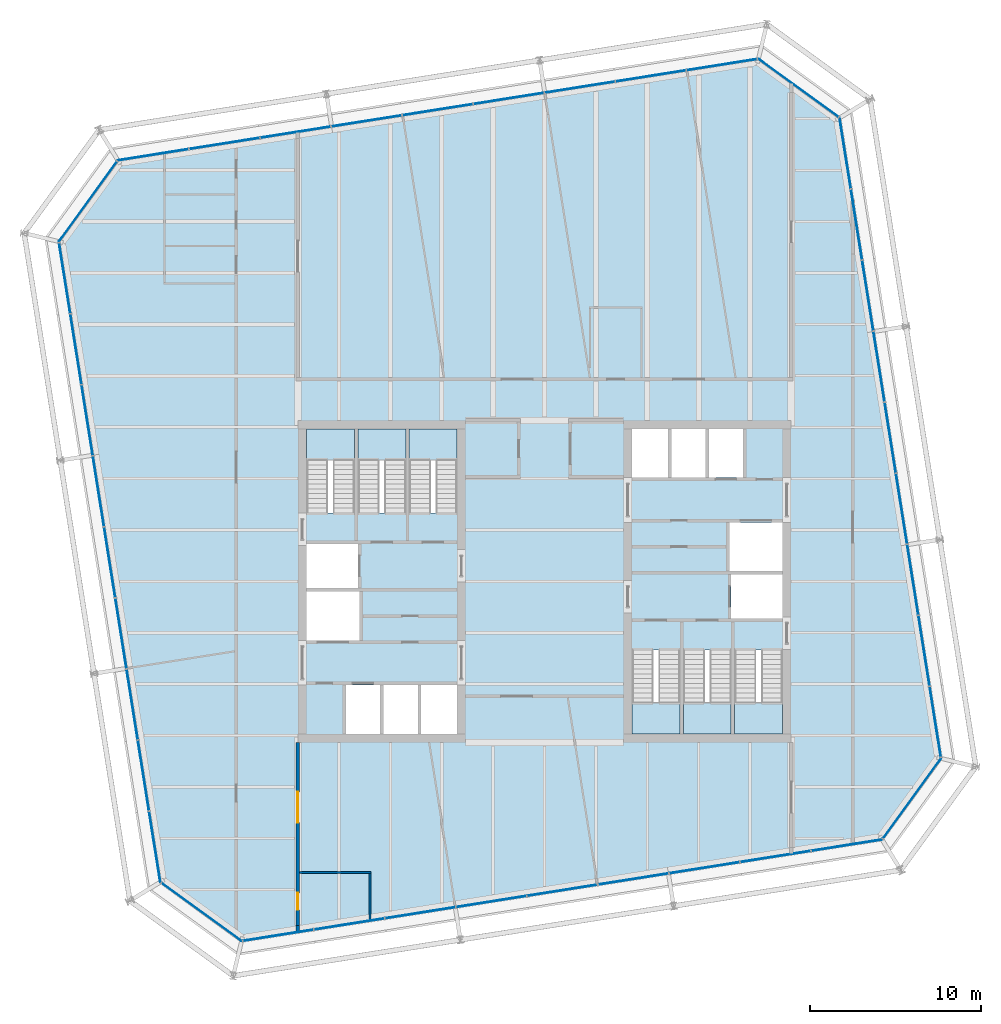
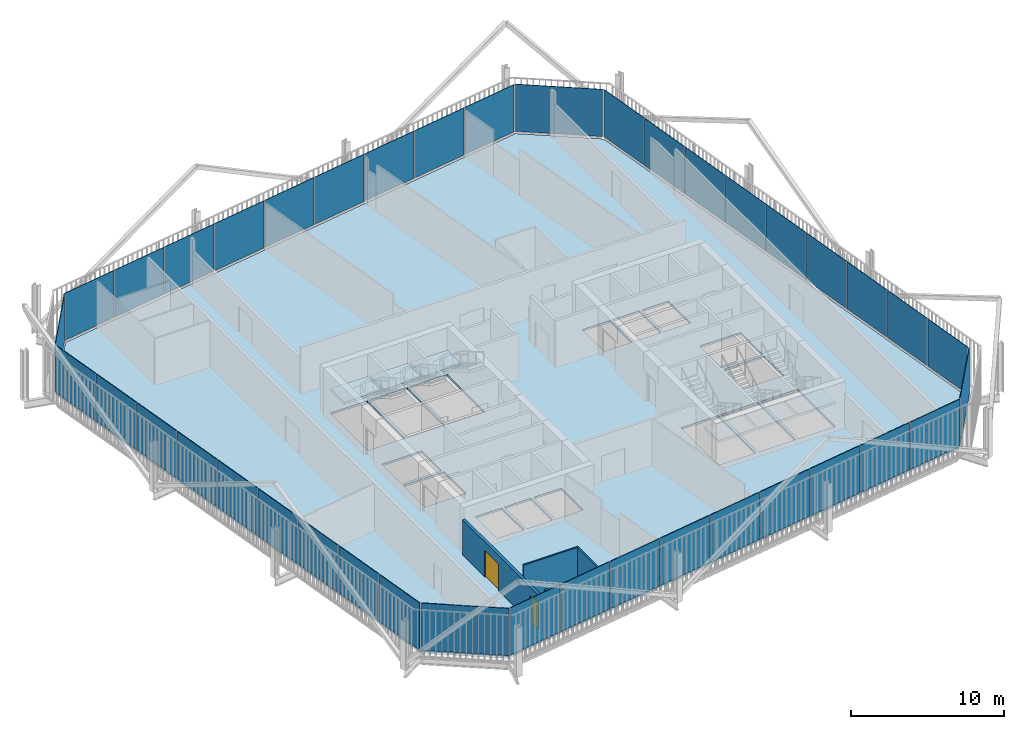
# One storey, part 16 of 21: 40 plates, 7 slabs, 4 walls, 2 doors, 2 openings, 14 elements without a shape of their own.
"""IFC4 building model written with IfcOpenShell, lengths in metres."""

from ifc_helpers import new_model, si_unit, direction, frame, frame_2d, origin, place, context, subcontext, project, spatial, polyline, rectangle, outline, extrude, material, layer, layer_set, type_object, element, fill, aggregate, save


model = new_model("IFC4")

# Units and contexts
model_context = context("Model", 3, precision=1e-05, world=origin(), true_north=direction((0.0, 1.0)))
body_context = subcontext(model_context, "Body", "Model", "MODEL_VIEW")
ifc_project = project(units=[si_unit("LENGTHUNIT", "METRE"), si_unit("AREAUNIT", "SQUARE_METRE"), si_unit("VOLUMEUNIT", "CUBIC_METRE"), si_unit("PLANEANGLEUNIT", "RADIAN"), si_unit("MASSUNIT", "GRAM", prefix="KILO")], contexts=[model_context])

# Site, building, storey
site_placement = place(None, origin())
site = spatial("IfcSite", under=ifc_project, at=site_placement, CompositionType="ELEMENT")
building_placement = place(site_placement, origin())
building = spatial("IfcBuilding", under=site, at=building_placement, Name="Millrace Tower", CompositionType="ELEMENT")
storey_placement = place(building_placement, frame((0.0, 0.0, 255.199951171875)))
storey = spatial("IfcBuildingStorey", under=building, at=storey_placement, Name="L58", CompositionType="ELEMENT", Elevation=255.199951171875)

# Curtain wall, plate
ifc_material_1 = material(Name="Aluminium and glass", Category="aluminium")
ifc_layer_1 = layer(ifc_material_1, 0.14990234375)
ifc_layer_set_1 = layer_set([ifc_layer_1], Name="Aluminium and glass")
curtain_wall_type = type_object("IfcCurtainWallType", Name="CW-1 office vision curtain wall", PredefinedType="NOTDEFINED", material=ifc_layer_set_1)
placement_1 = place(storey_placement, origin())
curtain_wall_1 = element("IfcCurtainWall", 1, at=placement_1, inside=storey, type_object=curtain_wall_type, Name="Curtain wall D-F01 L58", PredefinedType="NOTDEFINED")
ifc_material_2 = material(Name="Glass", Category="glass")
ifc_layer_2 = layer(ifc_material_2, 0.0439453125)
ifc_layer_set_2 = layer_set([ifc_layer_2], Name="Glass")
plate_type = type_object("IfcPlateType", Name="CW-1 office vision curtain wall triple-glazed vision panel", PredefinedType="CURTAIN_PANEL", material=ifc_layer_set_2)
placement_2 = place(storey_placement, frame((0.0, 0.0, 0.14013671875)))
plate_1 = element("IfcPlate", 2, at=placement_2, type_object=plate_type, Name="CW1 panel D-F01.1", PredefinedType="CURTAIN_PANEL", context=body_context, shape_type="SweptSolid", body=[
    extrude(outline(polyline([(-22.36474609375, -17.632080078125), (-17.69384765625, -21.025634765625), (-17.6826171875, -20.979248046875), (-22.3388671875, -17.596435546875), (-22.36474609375, -17.632080078125)])), origin(), (0.0, 0.0, 1.0), 3.760009765625),
])
aggregate(curtain_wall_1, [plate_1])

# Curtain wall, plates
curtain_wall_2 = element("IfcCurtainWall", 3, at=placement_1, inside=storey, type_object=curtain_wall_type, Name="Curtain wall D-F02 L58", PredefinedType="NOTDEFINED")
plate_2 = element("IfcPlate", 4, at=placement_2, type_object=plate_type, Name="CW1 panel D-F02.1", PredefinedType="CURTAIN_PANEL", context=body_context, shape_type="SweptSolid", body=[
    extrude(outline(polyline([(-17.58984375, -21.009033203125), (-13.505859375, -20.3623046875), (-13.5126953125, -20.31884765625), (-17.596923828125, -20.965576171875), (-17.58984375, -21.009033203125)])), origin(), (0.0, 0.0, 1.0), 3.760009765625),
])
plate_3 = element("IfcPlate", 5, at=placement_2, type_object=plate_type, Name="CW1 panel D-F02.2", PredefinedType="CURTAIN_PANEL", context=body_context, shape_type="SweptSolid", body=[
    extrude(outline(polyline([(-13.441650390625, -20.35205078125), (-9.357666015625, -19.705078125), (-9.364501953125, -19.66162109375), (-13.448486328125, -20.30859375), (-13.441650390625, -20.35205078125)])), origin(), (0.0, 0.0, 1.0), 3.760009765625),
])
plate_4 = element("IfcPlate", 6, at=placement_2, type_object=plate_type, Name="CW1 panel D-F02.3", PredefinedType="CURTAIN_PANEL", context=body_context, shape_type="SweptSolid", body=[
    extrude(outline(polyline([(-9.29345703125, -19.695068359375), (-5.209228515625, -19.048095703125), (-5.216064453125, -19.004638671875), (-9.30029296875, -19.651611328125), (-9.29345703125, -19.695068359375)])), origin(), (0.0, 0.0, 1.0), 3.760009765625),
])
plate_5 = element("IfcPlate", 7, at=placement_2, type_object=plate_type, Name="CW1 panel D-F02.4", PredefinedType="CURTAIN_PANEL", context=body_context, shape_type="SweptSolid", body=[
    extrude(outline(polyline([(-5.14501953125, -19.0380859375), (-1.06103515625, -18.39111328125), (-1.06787109375, -18.34765625), (-5.15185546875, -18.99462890625), (-5.14501953125, -19.0380859375)])), origin(), (0.0, 0.0, 1.0), 3.760009765625),
])
plate_6 = element("IfcPlate", 8, at=placement_2, type_object=plate_type, Name="CW1 panel D-F02.5", PredefinedType="CURTAIN_PANEL", context=body_context, shape_type="SweptSolid", body=[
    extrude(outline(polyline([(-0.996826171875, -18.380859375), (3.08740234375, -17.734130859375), (3.080322265625, -17.690673828125), (-1.003662109375, -18.33740234375), (-0.996826171875, -18.380859375)])), origin(), (0.0, 0.0, 1.0), 3.760009765625),
])
plate_7 = element("IfcPlate", 9, at=placement_2, type_object=plate_type, Name="CW1 panel D-F02.6", PredefinedType="CURTAIN_PANEL", context=body_context, shape_type="SweptSolid", body=[
    extrude(outline(polyline([(3.151611328125, -17.723876953125), (7.235595703125, -17.0771484375), (7.228759765625, -17.03369140625), (3.14453125, -17.680419921875), (3.151611328125, -17.723876953125)])), origin(), (0.0, 0.0, 1.0), 3.760009765625),
])
plate_8 = element("IfcPlate", 10, at=placement_2, type_object=plate_type, Name="CW1 panel D-F02.7", PredefinedType="CURTAIN_PANEL", context=body_context, shape_type="SweptSolid", body=[
    extrude(outline(polyline([(7.2998046875, -17.06689453125), (11.3837890625, -16.420166015625), (11.376953125, -16.376708984375), (7.29296875, -17.0234375), (7.2998046875, -17.06689453125)])), origin(), (0.0, 0.0, 1.0), 3.760009765625),
])
plate_9 = element("IfcPlate", 11, at=placement_2, type_object=plate_type, Name="CW1 panel D-F02.8", PredefinedType="CURTAIN_PANEL", context=body_context, shape_type="SweptSolid", body=[
    extrude(outline(polyline([(11.447998046875, -16.409912109375), (15.5322265625, -15.762939453125), (15.525390625, -15.719482421875), (11.441162109375, -16.366455078125), (11.447998046875, -16.409912109375)])), origin(), (0.0, 0.0, 1.0), 3.760009765625),
])
plate_10 = element("IfcPlate", 12, at=placement_2, type_object=plate_type, Name="CW1 panel D-F02.9", PredefinedType="CURTAIN_PANEL", context=body_context, shape_type="SweptSolid", body=[
    extrude(outline(polyline([(15.596435546875, -15.7529296875), (19.72021484375, -15.099853515625), (19.6953125, -15.05908203125), (15.589599609375, -15.70947265625), (15.596435546875, -15.7529296875)])), origin(), (0.0, 0.0, 1.0), 3.760009765625),
])
aggregate(curtain_wall_2, [plate_2, plate_3, plate_4, plate_5, plate_6, plate_7, plate_8, plate_9, plate_10])

# Curtain wall, plate
curtain_wall_3 = element("IfcCurtainWall", 13, at=placement_1, inside=storey, type_object=curtain_wall_type, Name="Curtain wall D-F03 L58", PredefinedType="NOTDEFINED")
plate_11 = element("IfcPlate", 14, at=placement_2, type_object=plate_type, Name="CW1 panel D-F03.1", PredefinedType="CURTAIN_PANEL", context=body_context, shape_type="SweptSolid", body=[
    extrude(outline(polyline([(19.781982421875, -15.0146484375), (23.175537109375, -10.34375), (23.129150390625, -10.332763671875), (19.746337890625, -14.98876953125), (19.781982421875, -15.0146484375)])), origin(), (0.0, 0.0, 1.0), 3.760009765625),
])
aggregate(curtain_wall_3, [plate_11])

# Curtain wall, plates
curtain_wall_4 = element("IfcCurtainWall", 15, at=placement_1, inside=storey, type_object=curtain_wall_type, Name="Curtain wall D-F04 L58", PredefinedType="NOTDEFINED")
plate_12 = element("IfcPlate", 16, at=placement_2, type_object=plate_type, Name="CW1 panel D-F04.1", PredefinedType="CURTAIN_PANEL", context=body_context, shape_type="SweptSolid", body=[
    extrude(outline(polyline([(23.1591796875, -10.239990234375), (22.51220703125, -6.15576171875), (22.46875, -6.162841796875), (23.11572265625, -10.246826171875), (23.1591796875, -10.239990234375)])), origin(), (0.0, 0.0, 1.0), 3.760009765625),
])
plate_13 = element("IfcPlate", 17, at=placement_2, type_object=plate_type, Name="CW1 panel D-F04.2", PredefinedType="CURTAIN_PANEL", context=body_context, shape_type="SweptSolid", body=[
    extrude(outline(polyline([(22.501953125, -6.091552734375), (21.855224609375, -2.007568359375), (21.811767578125, -2.014404296875), (22.45849609375, -6.0986328125), (22.501953125, -6.091552734375)])), origin(), (0.0, 0.0, 1.0), 3.760009765625),
])
plate_14 = element("IfcPlate", 18, at=placement_2, type_object=plate_type, Name="CW1 panel D-F04.3", PredefinedType="CURTAIN_PANEL", context=body_context, shape_type="SweptSolid", body=[
    extrude(outline(polyline([(21.844970703125, -1.943359375), (21.1982421875, 2.140625), (21.15478515625, 2.1337890625), (21.801513671875, -1.9501953125), (21.844970703125, -1.943359375)])), origin(), (0.0, 0.0, 1.0), 3.760009765625),
])
plate_15 = element("IfcPlate", 19, at=placement_2, type_object=plate_type, Name="CW1 panel D-F04.4", PredefinedType="CURTAIN_PANEL", context=body_context, shape_type="SweptSolid", body=[
    extrude(outline(polyline([(21.18798828125, 2.204833984375), (20.541259765625, 6.2890625), (20.497802734375, 6.2822265625), (21.14453125, 2.197998046875), (21.18798828125, 2.204833984375)])), origin(), (0.0, 0.0, 1.0), 3.760009765625),
])
plate_16 = element("IfcPlate", 20, at=placement_2, type_object=plate_type, Name="CW1 panel D-F04.5", PredefinedType="CURTAIN_PANEL", context=body_context, shape_type="SweptSolid", body=[
    extrude(outline(polyline([(20.531005859375, 6.353271484375), (19.884033203125, 10.437255859375), (19.840576171875, 10.430419921875), (20.487548828125, 6.346435546875), (20.531005859375, 6.353271484375)])), origin(), (0.0, 0.0, 1.0), 3.760009765625),
])
plate_17 = element("IfcPlate", 21, at=placement_2, type_object=plate_type, Name="CW1 panel D-F04.6", PredefinedType="CURTAIN_PANEL", context=body_context, shape_type="SweptSolid", body=[
    extrude(outline(polyline([(19.8740234375, 10.50146484375), (19.22705078125, 14.585693359375), (19.18359375, 14.57861328125), (19.83056640625, 10.49462890625), (19.8740234375, 10.50146484375)])), origin(), (0.0, 0.0, 1.0), 3.760009765625),
])
plate_18 = element("IfcPlate", 22, at=placement_2, type_object=plate_type, Name="CW1 panel D-F04.7", PredefinedType="CURTAIN_PANEL", context=body_context, shape_type="SweptSolid", body=[
    extrude(outline(polyline([(19.217041015625, 14.64990234375), (18.570068359375, 18.73388671875), (18.526611328125, 18.72705078125), (19.173583984375, 14.642822265625), (19.217041015625, 14.64990234375)])), origin(), (0.0, 0.0, 1.0), 3.760009765625),
])
plate_19 = element("IfcPlate", 23, at=placement_2, type_object=plate_type, Name="CW1 panel D-F04.8", PredefinedType="CURTAIN_PANEL", context=body_context, shape_type="SweptSolid", body=[
    extrude(outline(polyline([(18.559814453125, 18.798095703125), (17.9130859375, 22.882080078125), (17.86962890625, 22.875244140625), (18.516357421875, 18.791259765625), (18.559814453125, 18.798095703125)])), origin(), (0.0, 0.0, 1.0), 3.760009765625),
])
plate_20 = element("IfcPlate", 24, at=placement_2, type_object=plate_type, Name="CW1 panel D-F04.9", PredefinedType="CURTAIN_PANEL", context=body_context, shape_type="SweptSolid", body=[
    extrude(outline(polyline([(17.90283203125, 22.9462890625), (17.249755859375, 27.070068359375), (17.209228515625, 27.045166015625), (17.859375, 22.939453125), (17.90283203125, 22.9462890625)])), origin(), (0.0, 0.0, 1.0), 3.760009765625),
])
aggregate(curtain_wall_4, [plate_12, plate_13, plate_14, plate_15, plate_16, plate_17, plate_18, plate_19, plate_20])

# Curtain wall, plate
curtain_wall_5 = element("IfcCurtainWall", 25, at=placement_1, inside=storey, type_object=curtain_wall_type, Name="Curtain wall D-F05 L58", PredefinedType="NOTDEFINED")
plate_21 = element("IfcPlate", 26, at=placement_2, type_object=plate_type, Name="CW1 panel D-F05.1", PredefinedType="CURTAIN_PANEL", context=body_context, shape_type="SweptSolid", body=[
    extrude(outline(polyline([(17.16455078125, 27.132080078125), (12.493896484375, 30.525634765625), (12.482666015625, 30.479248046875), (17.138671875, 27.096435546875), (17.16455078125, 27.132080078125)])), origin(), (0.0, 0.0, 1.0), 3.760009765625),
])
aggregate(curtain_wall_5, [plate_21])

# Curtain wall, plates
curtain_wall_6 = element("IfcCurtainWall", 27, at=placement_1, inside=storey, type_object=curtain_wall_type, Name="Curtain wall D-F06 L58", PredefinedType="NOTDEFINED")
plate_22 = element("IfcPlate", 28, at=placement_2, type_object=plate_type, Name="CW1 panel D-F06.1", PredefinedType="CURTAIN_PANEL", context=body_context, shape_type="SweptSolid", body=[
    extrude(outline(polyline([(12.389892578125, 30.509033203125), (8.305908203125, 29.8623046875), (8.312744140625, 29.81884765625), (12.396728515625, 30.465576171875), (12.389892578125, 30.509033203125)])), origin(), (0.0, 0.0, 1.0), 3.760009765625),
])
plate_23 = element("IfcPlate", 29, at=placement_2, type_object=plate_type, Name="CW1 panel D-F06.2", PredefinedType="CURTAIN_PANEL", context=body_context, shape_type="SweptSolid", body=[
    extrude(outline(polyline([(8.24169921875, 29.85205078125), (4.157470703125, 29.205078125), (4.16455078125, 29.16162109375), (8.24853515625, 29.80859375), (8.24169921875, 29.85205078125)])), origin(), (0.0, 0.0, 1.0), 3.760009765625),
])
plate_24 = element("IfcPlate", 30, at=placement_2, type_object=plate_type, Name="CW1 panel D-F06.3", PredefinedType="CURTAIN_PANEL", context=body_context, shape_type="SweptSolid", body=[
    extrude(outline(polyline([(4.09326171875, 29.195068359375), (0.00927734375, 28.548095703125), (0.01611328125, 28.504638671875), (4.100341796875, 29.151611328125), (4.09326171875, 29.195068359375)])), origin(), (0.0, 0.0, 1.0), 3.760009765625),
])
plate_25 = element("IfcPlate", 31, at=placement_2, type_object=plate_type, Name="CW1 panel D-F06.4", PredefinedType="CURTAIN_PANEL", context=body_context, shape_type="SweptSolid", body=[
    extrude(outline(polyline([(-0.054931640625, 28.5380859375), (-4.138916015625, 27.89111328125), (-4.132080078125, 27.84765625), (-0.048095703125, 28.49462890625), (-0.054931640625, 28.5380859375)])), origin(), (0.0, 0.0, 1.0), 3.760009765625),
])
plate_26 = element("IfcPlate", 32, at=placement_2, type_object=plate_type, Name="CW1 panel D-F06.5", PredefinedType="CURTAIN_PANEL", context=body_context, shape_type="SweptSolid", body=[
    extrude(outline(polyline([(-4.203125, 27.880859375), (-8.287353515625, 27.234130859375), (-8.280517578125, 27.190673828125), (-4.1962890625, 27.83740234375), (-4.203125, 27.880859375)])), origin(), (0.0, 0.0, 1.0), 3.760009765625),
])
plate_27 = element("IfcPlate", 33, at=placement_2, type_object=plate_type, Name="CW1 panel D-F06.6", PredefinedType="CURTAIN_PANEL", context=body_context, shape_type="SweptSolid", body=[
    extrude(outline(polyline([(-8.3515625, 27.223876953125), (-12.435546875, 26.5771484375), (-12.4287109375, 26.53369140625), (-8.3447265625, 27.180419921875), (-8.3515625, 27.223876953125)])), origin(), (0.0, 0.0, 1.0), 3.760009765625),
])
plate_28 = element("IfcPlate", 34, at=placement_2, type_object=plate_type, Name="CW1 panel D-F06.7", PredefinedType="CURTAIN_PANEL", context=body_context, shape_type="SweptSolid", body=[
    extrude(outline(polyline([(-12.499755859375, 26.56689453125), (-16.583984375, 25.920166015625), (-16.576904296875, 25.876708984375), (-12.492919921875, 26.5234375), (-12.499755859375, 26.56689453125)])), origin(), (0.0, 0.0, 1.0), 3.760009765625),
])
plate_29 = element("IfcPlate", 35, at=placement_2, type_object=plate_type, Name="CW1 panel D-F06.8", PredefinedType="CURTAIN_PANEL", context=body_context, shape_type="SweptSolid", body=[
    extrude(outline(polyline([(-16.648193359375, 25.909912109375), (-20.732177734375, 25.262939453125), (-20.725341796875, 25.219482421875), (-16.64111328125, 25.866455078125), (-16.648193359375, 25.909912109375)])), origin(), (0.0, 0.0, 1.0), 3.760009765625),
])
plate_30 = element("IfcPlate", 36, at=placement_2, type_object=plate_type, Name="CW1 panel D-F06.9", PredefinedType="CURTAIN_PANEL", context=body_context, shape_type="SweptSolid", body=[
    extrude(outline(polyline([(-20.79638671875, 25.2529296875), (-24.920166015625, 24.599853515625), (-24.895263671875, 24.55908203125), (-20.78955078125, 25.20947265625), (-20.79638671875, 25.2529296875)])), origin(), (0.0, 0.0, 1.0), 3.760009765625),
])
aggregate(curtain_wall_6, [plate_22, plate_23, plate_24, plate_25, plate_26, plate_27, plate_28, plate_29, plate_30])

# Curtain wall, plate
curtain_wall_7 = element("IfcCurtainWall", 37, at=placement_1, inside=storey, type_object=curtain_wall_type, Name="Curtain wall D-F07 L58", PredefinedType="NOTDEFINED")
plate_31 = element("IfcPlate", 38, at=placement_2, type_object=plate_type, Name="CW1 panel D-F07.1", PredefinedType="CURTAIN_PANEL", context=body_context, shape_type="SweptSolid", body=[
    extrude(outline(polyline([(-24.98193359375, 24.5146484375), (-28.37548828125, 19.84375), (-28.329345703125, 19.832763671875), (-24.9462890625, 24.48876953125), (-24.98193359375, 24.5146484375)])), origin(), (0.0, 0.0, 1.0), 3.760009765625),
])
aggregate(curtain_wall_7, [plate_31])

# Curtain wall, plates
curtain_wall_8 = element("IfcCurtainWall", 39, at=placement_1, inside=storey, type_object=curtain_wall_type, Name="Curtain wall D-F08 L58", PredefinedType="NOTDEFINED")
plate_32 = element("IfcPlate", 40, at=placement_2, type_object=plate_type, Name="CW1 panel D-F08.1", PredefinedType="CURTAIN_PANEL", context=body_context, shape_type="SweptSolid", body=[
    extrude(outline(polyline([(-28.359130859375, 19.739990234375), (-27.712158203125, 15.65576171875), (-27.668701171875, 15.662841796875), (-28.315673828125, 19.746826171875), (-28.359130859375, 19.739990234375)])), origin(), (0.0, 0.0, 1.0), 3.760009765625),
])
plate_33 = element("IfcPlate", 41, at=placement_2, type_object=plate_type, Name="CW1 panel D-F08.2", PredefinedType="CURTAIN_PANEL", context=body_context, shape_type="SweptSolid", body=[
    extrude(outline(polyline([(-27.7021484375, 15.591552734375), (-27.05517578125, 11.507568359375), (-27.01171875, 11.514404296875), (-27.65869140625, 15.5986328125), (-27.7021484375, 15.591552734375)])), origin(), (0.0, 0.0, 1.0), 3.760009765625),
])
plate_34 = element("IfcPlate", 42, at=placement_2, type_object=plate_type, Name="CW1 panel D-F08.3", PredefinedType="CURTAIN_PANEL", context=body_context, shape_type="SweptSolid", body=[
    extrude(outline(polyline([(-27.044921875, 11.443359375), (-26.398193359375, 7.359375), (-26.354736328125, 7.3662109375), (-27.00146484375, 11.4501953125), (-27.044921875, 11.443359375)])), origin(), (0.0, 0.0, 1.0), 3.760009765625),
])
plate_35 = element("IfcPlate", 43, at=placement_2, type_object=plate_type, Name="CW1 panel D-F08.4", PredefinedType="CURTAIN_PANEL", context=body_context, shape_type="SweptSolid", body=[
    extrude(outline(polyline([(-26.387939453125, 7.295166015625), (-25.7412109375, 3.2109375), (-25.69775390625, 3.2177734375), (-26.344482421875, 7.302001953125), (-26.387939453125, 7.295166015625)])), origin(), (0.0, 0.0, 1.0), 3.760009765625),
])
plate_36 = element("IfcPlate", 44, at=placement_2, type_object=plate_type, Name="CW1 panel D-F08.5", PredefinedType="CURTAIN_PANEL", context=body_context, shape_type="SweptSolid", body=[
    extrude(outline(polyline([(-25.73095703125, 3.146728515625), (-25.084228515625, -0.937255859375), (-25.040771484375, -0.930419921875), (-25.6875, 3.153564453125), (-25.73095703125, 3.146728515625)])), origin(), (0.0, 0.0, 1.0), 3.760009765625),
])
plate_37 = element("IfcPlate", 45, at=placement_2, type_object=plate_type, Name="CW1 panel D-F08.6", PredefinedType="CURTAIN_PANEL", context=body_context, shape_type="SweptSolid", body=[
    extrude(outline(polyline([(-25.073974609375, -1.00146484375), (-24.427001953125, -5.085693359375), (-24.383544921875, -5.07861328125), (-25.030517578125, -0.99462890625), (-25.073974609375, -1.00146484375)])), origin(), (0.0, 0.0, 1.0), 3.760009765625),
])
plate_38 = element("IfcPlate", 46, at=placement_2, type_object=plate_type, Name="CW1 panel D-F08.7", PredefinedType="CURTAIN_PANEL", context=body_context, shape_type="SweptSolid", body=[
    extrude(outline(polyline([(-24.4169921875, -5.14990234375), (-23.77001953125, -9.23388671875), (-23.7265625, -9.22705078125), (-24.37353515625, -5.142822265625), (-24.4169921875, -5.14990234375)])), origin(), (0.0, 0.0, 1.0), 3.760009765625),
])
plate_39 = element("IfcPlate", 47, at=placement_2, type_object=plate_type, Name="CW1 panel D-F08.8", PredefinedType="CURTAIN_PANEL", context=body_context, shape_type="SweptSolid", body=[
    extrude(outline(polyline([(-23.760009765625, -9.298095703125), (-23.113037109375, -13.382080078125), (-23.069580078125, -13.375244140625), (-23.716552734375, -9.291259765625), (-23.760009765625, -9.298095703125)])), origin(), (0.0, 0.0, 1.0), 3.760009765625),
])
plate_40 = element("IfcPlate", 48, at=placement_2, type_object=plate_type, Name="CW1 panel D-F08.9", PredefinedType="CURTAIN_PANEL", context=body_context, shape_type="SweptSolid", body=[
    extrude(outline(polyline([(-23.102783203125, -13.4462890625), (-22.44970703125, -17.570068359375), (-22.4091796875, -17.545166015625), (-23.059326171875, -13.439453125), (-23.102783203125, -13.4462890625)])), origin(), (0.0, 0.0, 1.0), 3.760009765625),
])
aggregate(curtain_wall_8, [plate_32, plate_33, plate_34, plate_35, plate_36, plate_37, plate_38, plate_39, plate_40])

# Slab
ifc_material_3 = material(Name="Concrete C35 on steel deck", Category="concrete")
ifc_layer_3 = layer(ifc_material_3, 0.159912109375)
ifc_layer_set_3 = layer_set([ifc_layer_3], Name="Concrete C35 on steel deck")
slab_type_1 = type_object("IfcSlabType", Name="Composite floor slab 160 mm", PredefinedType="FLOOR", material=ifc_layer_set_3)
slab_1_placement = place(storey_placement, frame((0.0, 0.0, -0.159912109375)))
element("IfcSlab", 49, at=slab_1_placement, inside=storey, type_object=slab_type_1, Name="SL-D-L58-S1", PredefinedType="FLOOR", context=body_context, shape_type="SweptSolid", body=[
    extrude(outline(polyline([(-22.360107421875, -17.515380859375), (-17.66943359375, -20.92333984375), (19.665283203125, -15.01025390625), (23.073486328125, -10.3193359375), (17.16015625, 27.015380859375), (12.46923828125, 30.42333984375), (-24.865234375, 24.51025390625), (-28.2734375, 19.8193359375), (-22.360107421875, -17.515380859375)]), holes=[polyline([(-11.60009765625, -8.89990234375), (-9.60009765625, -8.89990234375), (-9.60009765625, -6.050048828125), (-11.60009765625, -6.050048828125), (-11.60009765625, -8.89990234375)]), polyline([(-9.39990234375, -8.89990234375), (-7.39990234375, -8.89990234375), (-7.39990234375, -6.050048828125), (-9.39990234375, -6.050048828125), (-9.39990234375, -8.89990234375)]), polyline([(-7.199951171875, -8.89990234375), (-5.10009765625, -8.89990234375), (-5.10009765625, -6.050048828125), (-7.199951171875, -6.050048828125), (-7.199951171875, -8.89990234375)]), polyline([(-13.89990234375, -3.449951171875), (-10.800048828125, -3.449951171875), (-10.800048828125, -0.60009765625), (-13.89990234375, -0.60009765625), (-13.89990234375, -3.449951171875)]), polyline([(-13.89990234375, -0.39990234375), (-10.89990234375, -0.39990234375), (-10.89990234375, 2.179931640625), (-13.89990234375, 2.179931640625), (-13.89990234375, -0.39990234375)]), polyline([(-13.89990234375, 4.0), (-11.10009765625, 4.0), (-11.10009765625, 8.89990234375), (-13.89990234375, 8.89990234375), (-13.89990234375, 4.0)]), polyline([(-10.89990234375, 4.0), (-8.10009765625, 4.0), (-8.10009765625, 8.89990234375), (-10.89990234375, 8.89990234375), (-10.89990234375, 4.0)]), polyline([(-7.89990234375, 4.0), (-5.10009765625, 4.0), (-5.10009765625, 8.89990234375), (-7.89990234375, 8.89990234375), (-7.89990234375, 4.0)]), polyline([(9.60009765625, 6.050048828125), (11.60009765625, 6.050048828125), (11.60009765625, 8.89990234375), (9.60009765625, 8.89990234375), (9.60009765625, 6.050048828125)]), polyline([(7.39990234375, 6.050048828125), (9.39990234375, 6.050048828125), (9.39990234375, 8.89990234375), (7.39990234375, 8.89990234375), (7.39990234375, 6.050048828125)]), polyline([(5.10009765625, 6.050048828125), (7.199951171875, 6.050048828125), (7.199951171875, 8.89990234375), (5.10009765625, 8.89990234375), (5.10009765625, 6.050048828125)]), polyline([(10.800048828125, 0.60009765625), (13.89990234375, 0.60009765625), (13.89990234375, 3.449951171875), (10.800048828125, 3.449951171875), (10.800048828125, 0.60009765625)]), polyline([(10.89990234375, -2.179931640625), (13.89990234375, -2.179931640625), (13.89990234375, 0.39990234375), (10.89990234375, 0.39990234375), (10.89990234375, -2.179931640625)]), polyline([(11.10009765625, -8.89990234375), (13.89990234375, -8.89990234375), (13.89990234375, -4.0), (11.10009765625, -4.0), (11.10009765625, -8.89990234375)]), polyline([(8.10009765625, -8.89990234375), (10.89990234375, -8.89990234375), (10.89990234375, -4.0), (8.10009765625, -4.0), (8.10009765625, -8.89990234375)]), polyline([(5.10009765625, -8.89990234375), (7.89990234375, -8.89990234375), (7.89990234375, -4.0), (5.10009765625, -4.0), (5.10009765625, -8.89990234375)])]), origin(), (0.0, 0.0, 1.0), 0.159912109375),
])

# Stair, slab
ifc_material_4 = material(Name="Concrete C35", Category="concrete")
stair_type = type_object("IfcStairType", Name="Exit stair", PredefinedType="HALF_TURN_STAIR", material=ifc_material_4)
stair_1 = element("IfcStair", 50, at=placement_1, inside=storey, type_object=stair_type, Name="Stair 1 W L58", PredefinedType="HALF_TURN_STAIR")
ifc_material_5 = material(Name="Concrete C40", Category="concrete")
ifc_layer_4 = layer(ifc_material_5, 0.199951171875)
ifc_layer_set_4 = layer_set([ifc_layer_4], Name="Concrete C40")
slab_type_2 = type_object("IfcSlabType", Name="Stair landing", PredefinedType="LANDING", material=ifc_layer_set_4)
placement_3 = place(storey_placement, frame((0.0, 0.0, 1.75)))
slab_2 = element("IfcSlab", 51, at=placement_3, type_object=slab_type_2, Name="ST12 landing 1", PredefinedType="LANDING", context=body_context, shape_type="SweptSolid", body=[
    extrude(outline(polyline([(-13.89990234375, 7.080078125), (-11.10009765625, 7.080078125), (-11.10009765625, 8.89990234375), (-13.89990234375, 8.89990234375), (-13.89990234375, 7.080078125)])), origin(), (0.0, 0.0, 1.0), 0.199951171875),
])
aggregate(stair_1, [slab_2])

stair_2 = element("IfcStair", 52, at=placement_1, inside=storey, type_object=stair_type, Name="Stair 2 W L58", PredefinedType="HALF_TURN_STAIR")
slab_3 = element("IfcSlab", 53, at=placement_3, type_object=slab_type_2, Name="ST12 landing 1", PredefinedType="LANDING", context=body_context, shape_type="SweptSolid", body=[
    extrude(outline(polyline([(-10.89990234375, 7.080078125), (-8.10009765625, 7.080078125), (-8.10009765625, 8.89990234375), (-10.89990234375, 8.89990234375), (-10.89990234375, 7.080078125)])), origin(), (0.0, 0.0, 1.0), 0.199951171875),
])
aggregate(stair_2, [slab_3])

stair_3 = element("IfcStair", 54, at=placement_1, inside=storey, type_object=stair_type, Name="Stair 3 W L58", PredefinedType="HALF_TURN_STAIR")
slab_4 = element("IfcSlab", 55, at=placement_3, type_object=slab_type_2, Name="ST12 landing 1", PredefinedType="LANDING", context=body_context, shape_type="SweptSolid", body=[
    extrude(outline(polyline([(-7.89990234375, 7.080078125), (-5.10009765625, 7.080078125), (-5.10009765625, 8.89990234375), (-7.89990234375, 8.89990234375), (-7.89990234375, 7.080078125)])), origin(), (0.0, 0.0, 1.0), 0.199951171875),
])
aggregate(stair_3, [slab_4])

stair_4 = element("IfcStair", 56, at=placement_1, inside=storey, type_object=stair_type, Name="Stair 1 E L58", PredefinedType="HALF_TURN_STAIR")
slab_5 = element("IfcSlab", 57, at=placement_3, type_object=slab_type_2, Name="ST12 landing 1", PredefinedType="LANDING", context=body_context, shape_type="SweptSolid", body=[
    extrude(outline(polyline([(11.10009765625, -8.89990234375), (13.89990234375, -8.89990234375), (13.89990234375, -7.080078125), (11.10009765625, -7.080078125), (11.10009765625, -8.89990234375)])), origin(), (0.0, 0.0, 1.0), 0.199951171875),
])
aggregate(stair_4, [slab_5])

stair_5 = element("IfcStair", 58, at=placement_1, inside=storey, type_object=stair_type, Name="Stair 2 E L58", PredefinedType="HALF_TURN_STAIR")
slab_6 = element("IfcSlab", 59, at=placement_3, type_object=slab_type_2, Name="ST12 landing 1", PredefinedType="LANDING", context=body_context, shape_type="SweptSolid", body=[
    extrude(outline(polyline([(8.10009765625, -8.89990234375), (10.89990234375, -8.89990234375), (10.89990234375, -7.080078125), (8.10009765625, -7.080078125), (8.10009765625, -8.89990234375)])), origin(), (0.0, 0.0, 1.0), 0.199951171875),
])
aggregate(stair_5, [slab_6])

stair_6 = element("IfcStair", 60, at=placement_1, inside=storey, type_object=stair_type, Name="Stair 3 E L58", PredefinedType="HALF_TURN_STAIR")
slab_7 = element("IfcSlab", 61, at=placement_3, type_object=slab_type_2, Name="ST12 landing 1", PredefinedType="LANDING", context=body_context, shape_type="SweptSolid", body=[
    extrude(outline(polyline([(5.10009765625, -8.89990234375), (7.89990234375, -8.89990234375), (7.89990234375, -7.080078125), (5.10009765625, -7.080078125), (5.10009765625, -8.89990234375)])), origin(), (0.0, 0.0, 1.0), 0.199951171875),
])
aggregate(stair_6, [slab_7])

# Wall
ifc_material_6 = material(Name="Masonry partition, fire-rated", Category="masonry")
ifc_layer_5 = layer(ifc_material_6, 0.199951171875)
ifc_layer_set_5 = layer_set([ifc_layer_5], Name="Masonry partition, fire-rated")
wall_type_1 = type_object("IfcWallType", Name="Corridor wall 200", PredefinedType="PARTITIONING", material=ifc_layer_set_5)
wall_1_placement = place(storey_placement, frame((-14.39990234375, -20.43603515625, 0.0), z_axis=(0.0, 0.0, 1.0), x_axis=(0.0, 1.0, 0.0)))
element("IfcWall", 62, at=wall_1_placement, inside=storey, type_object=wall_type_1, Name="Corridor wall L58", PredefinedType="PARTITIONING", context=body_context, shape_type="SweptSolid", body=[
    extrude(rectangle(XDim=0.349609375, YDim=0.199951171875, at=frame_2d((0.1748046875, 0.0))), origin(), (0.0, 0.0, 1.0), 3.739990234375),
])

# Wall, openings, doors
wall_2_placement = place(storey_placement, frame((-14.39990234375, -20.08642578125, 0.0), z_axis=(0.0, 0.0, 1.0), x_axis=(0.0, 1.0, 0.0)))
wall_2 = element("IfcWall", 63, at=wall_2_placement, inside=storey, type_object=wall_type_1, Name="Corridor wall L58", PredefinedType="PARTITIONING", context=body_context, shape_type="SweptSolid", body=[
    extrude(rectangle(XDim=10.6865234375, YDim=0.199951171875, at=frame_2d((5.34326171875, 0.0))), origin(), (0.0, 0.0, 1.0), 2.81298828125),
])
opening_1_placement = place(wall_2_placement, frame((5.993896484375, 0.0, 0.0)))
opening_1 = element("IfcOpeningElement", 64, at=opening_1_placement, cuts=wall_2, Name="Opening 58-P011", PredefinedType="OPENING", context=body_context, shape_type="SweptSolid", body=[
    extrude(rectangle(XDim=1.800048828125, YDim=2.10009765625, at=frame_2d((0.89990234375, 1.050048828125))), frame((0.0, 0.10986328125, 0.0), z_axis=(0.0, -1.0, 0.0), x_axis=(1.0, 0.0, 0.0)), (0.0, 0.0, 1.0), 0.219970703125),
])
opening_2_placement = place(wall_2_placement, frame((0.9013671875, 0.0, 0.0)))
opening_2 = element("IfcOpeningElement", 65, at=opening_2_placement, cuts=wall_2, Name="Opening 58-P012", PredefinedType="OPENING", context=body_context, shape_type="SweptSolid", body=[
    extrude(rectangle(XDim=1.0, YDim=2.10009765625, at=frame_2d((0.5, 1.050048828125))), frame((0.0, 0.10986328125, 0.0), z_axis=(0.0, -1.0, 0.0), x_axis=(1.0, 0.0, 0.0)), (0.0, 0.0, 1.0), 0.219970703125),
])
ifc_material_7 = material(Name="Steel door set, fire-rated", Category="steel")
door_type_1 = type_object("IfcDoorType", Name="Corridor door 1000 x 2100", OperationType="SINGLE_SWING_LEFT", PredefinedType="DOOR", material=ifc_material_7)
door_1_placement = place(opening_2_placement, frame((1.0, 0.0, 0.0), z_axis=(0.0, 0.0, 1.0), x_axis=(-1.0, 0.0, 0.0)))
door_1 = element("IfcDoor", 66, at=door_1_placement, inside=storey, type_object=door_type_1, Name="Door 58-P012", OperationType="SINGLE_SWING_RIGHT", OverallHeight=2.10009765625, OverallWidth=1.0, PredefinedType="DOOR", context=body_context, shape_type="SweptSolid", body=[
    extrude(rectangle(XDim=1.0, YDim=2.10009765625, at=frame_2d((0.5, 1.050048828125))), frame((0.0, 0.02490234375, 0.0), z_axis=(0.0, -1.0, 0.0), x_axis=(1.0, 0.0, 0.0)), (0.0, 0.0, 1.0), 0.050048828125),
])
fill(opening_2, door_1)
ifc_material_8 = material(Name="Steel door set, fire-rated", Category="steel")
door_type_2 = type_object("IfcDoorType", Name="Corridor door 1800 x 2100", OperationType="DOUBLE_DOOR_SINGLE_SWING", PredefinedType="DOOR", material=ifc_material_8)
door_2_placement = place(opening_1_placement, frame((1.800048828125, 0.0, 0.0), z_axis=(0.0, 0.0, 1.0), x_axis=(-1.0, 0.0, 0.0)))
door_2 = element("IfcDoor", 67, at=door_2_placement, inside=storey, type_object=door_type_2, Name="Door 58-P011", OperationType="DOUBLE_DOOR_SINGLE_SWING", OverallHeight=2.10009765625, OverallWidth=1.800048828125, PredefinedType="DOOR", context=body_context, shape_type="SweptSolid", body=[
    extrude(rectangle(XDim=1.800048828125, YDim=2.10009765625, at=frame_2d((0.89990234375, 1.050048828125))), frame((0.0, 0.02490234375, 0.0), z_axis=(0.0, -1.0, 0.0), x_axis=(1.0, 0.0, 0.0)), (0.0, 0.0, 1.0), 0.050048828125),
])
fill(opening_1, door_2)

# Walls
ifc_material_9 = material(Name="Gypsum board partition")
ifc_layer_6 = layer(ifc_material_9, 0.1201171875)
ifc_layer_set_6 = layer_set([ifc_layer_6], Name="Gypsum board partition")
wall_type_2 = type_object("IfcWallType", Name="Partition wall 120", PredefinedType="PARTITIONING", material=ifc_layer_set_6)
wall_3_placement = place(storey_placement, frame((-14.300048828125, -16.985107421875, 0.0), z_axis=(0.0, 0.0, 1.0), x_axis=(1.0, 0.0, 0.0)))
element("IfcWall", 68, at=wall_3_placement, inside=storey, type_object=wall_type_2, Name="Partition wall L58", PredefinedType="PARTITIONING", context=body_context, shape_type="SweptSolid", body=[
    extrude(rectangle(XDim=4.16015625, YDim=0.1201171875, at=frame_2d((2.080078125, 0.0))), origin(), (0.0, 0.0, 1.0), 3.739990234375),
])
wall_4_placement = place(storey_placement, frame((-10.199951171875, -19.770751953125, 0.0), z_axis=(0.0, 0.0, 1.0), x_axis=(0.0, 1.0, 0.0)))
element("IfcWall", 69, at=wall_4_placement, inside=storey, type_object=wall_type_2, Name="Partition wall L58", PredefinedType="PARTITIONING", context=body_context, shape_type="SweptSolid", body=[
    extrude(rectangle(XDim=2.725830078125, YDim=0.1201171875, at=frame_2d((1.36279296875, 0.0))), origin(), (0.0, 0.0, 1.0), 3.739990234375),
])

save(model, "model.ifc")
